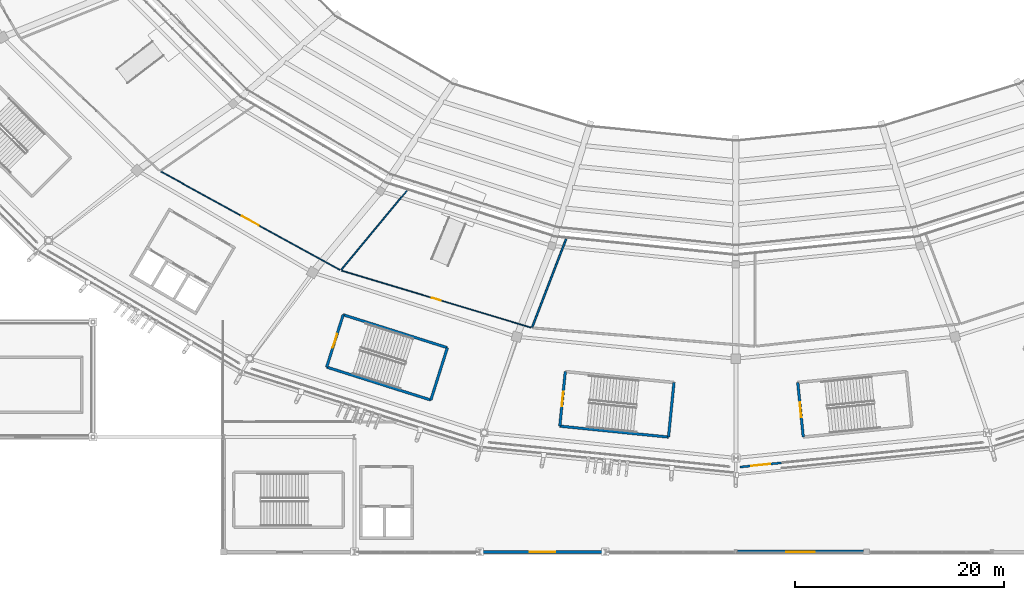
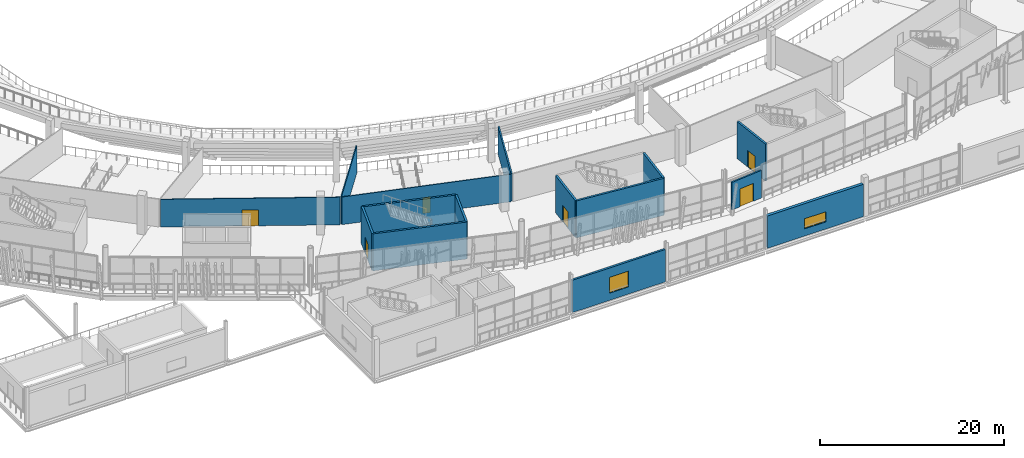
# One storey, part 122 of 178: 15 walls, 6 doors, 2 windows, 8 openings.
"""IFC4 building model written with IfcOpenShell, lengths in metres."""

from ifc_helpers import new_model, si_unit, direction, frame, frame_2d, origin, place, context, subcontext, project, spatial, rectangle, extrude, material, layer, layer_set, type_object, element, fill, save


model = new_model("IFC4")

# Units and contexts
model_context = context("Model", 3, precision=1e-05, world=origin(), true_north=direction((0.0, 1.0)))
body_context = subcontext(model_context, "Body", "Model", "MODEL_VIEW")
ifc_project = project(units=[si_unit("LENGTHUNIT", "METRE"), si_unit("AREAUNIT", "SQUARE_METRE"), si_unit("VOLUMEUNIT", "CUBIC_METRE"), si_unit("PLANEANGLEUNIT", "RADIAN"), si_unit("MASSUNIT", "GRAM", prefix="KILO")], contexts=[model_context])

# Site, building, storey
site_placement = place(None, origin())
site = spatial("IfcSite", under=ifc_project, at=site_placement, CompositionType="ELEMENT")
building_placement = place(site_placement, origin())
building = spatial("IfcBuilding", under=site, at=building_placement, Name="Zlatoyarsky Gate Stadium", CompositionType="ELEMENT")
storey_placement = place(building_placement, frame((0.0, 0.0, 5.39990234375)))
storey = spatial("IfcBuildingStorey", under=building, at=storey_placement, Name="L01", CompositionType="ELEMENT", Elevation=5.39990234375)

# Walls
ifc_material_1 = material(Name="Double-stud acoustic gypsum partition", Category="gypsum")
ifc_layer_1 = layer(ifc_material_1, 0.169921875)
ifc_layer_set_1 = layer_set([ifc_layer_1], Name="Double-stud acoustic gypsum partition")
wall_type_1 = type_object("IfcWallType", Name="ACOUSTIC BROADCAST STUDIO WALL 170", PredefinedType="PARTITIONING", material=ifc_layer_set_1)
wall_1_placement = place(storey_placement, frame((94.77783203125, 29.982177734375, 0.0), z_axis=(0.0, 0.0, 1.0), x_axis=(-0.359430415578, -0.933171890038, 0.0)))
element("IfcWall", 1, at=wall_1_placement, inside=storey, type_object=wall_type_1, Name="L01 interior partition PRT-L01-IRD-17", PredefinedType="PARTITIONING", context=body_context, shape_type="SweptSolid", body=[
    extrude(rectangle(XDim=9.06103515625, YDim=0.169921875, at=frame_2d((4.530517578125, 0.0))), origin(), (0.0, 0.0, 1.0), 3.670166015625),
])
ifc_material_2 = material(Name="Anodised aluminium acoustic operable wall", Category="aluminium")
ifc_layer_2 = layer(ifc_material_2, 0.114990234375)
ifc_layer_set_2 = layer_set([ifc_layer_2], Name="Anodised aluminium acoustic operable wall")
wall_type_2 = type_object("IfcWallType", Name="ACOUSTIC OPERABLE SUITE WALL 115", PredefinedType="MOVABLE", material=ifc_layer_set_2)
wall_2_placement = place(storey_placement, frame((79.5517578125, 34.596435546875, 0.0), z_axis=(0.0, 0.0, 1.0), x_axis=(-0.638865731008, -0.769318255174, 0.0)))
element("IfcWall", 2, at=wall_2_placement, inside=storey, type_object=wall_type_2, Name="L01 interior partition PRT-L01-IRD-16", PredefinedType="MOVABLE", context=body_context, shape_type="SweptSolid", body=[
    extrude(rectangle(XDim=9.859130859375, YDim=0.114990234375, at=frame_2d((4.9296875, 0.0))), origin(), (0.0, 0.0, 1.0), 3.670166015625),
])

# Wall, opening, door
ifc_material_3 = material(Name="Gypsum-clad mineral wool fire partition", Category="gypsum")
ifc_layer_3 = layer(ifc_material_3, 0.199951171875)
ifc_layer_set_3 = layer_set([ifc_layer_3], Name="Gypsum-clad mineral wool fire partition")
wall_type_3 = type_object("IfcWallType", Name="COMPARTMENT FIRE PARTITION WALL 200", PredefinedType="PARTITIONING", material=ifc_layer_set_3)
wall_3_placement = place(storey_placement, frame((111.403076171875, 8.132080078125, 0.0), z_axis=(0.0, 0.0, 1.0), x_axis=(0.994956287752, 0.100309448517, 0.0)))
wall_3 = element("IfcWall", 3, at=wall_3_placement, inside=storey, type_object=wall_type_3, Name="L01 interior partition PRT-PORTAL-L01-18", PredefinedType="PARTITIONING", context=body_context, shape_type="SweptSolid", body=[
    extrude(rectangle(XDim=3.9599609375, YDim=0.199951171875, at=frame_2d((1.97998046875, 0.0))), origin(), (0.0, 0.0, 1.0), 3.670166015625),
])
opening_1_placement = place(wall_3_placement, frame((1.070068359375, 0.0, 0.0)))
opening_1 = element("IfcOpeningElement", 4, at=opening_1_placement, cuts=wall_3, Name="Opening D-L01-712", PredefinedType="OPENING", context=body_context, shape_type="SweptSolid", body=[
    extrude(rectangle(XDim=1.820068359375, YDim=2.3798828125, at=frame_2d((0.91015625, 1.18994140625))), frame((0.0, 0.10986328125, 0.0), z_axis=(0.0, -1.0, 0.0), x_axis=(1.0, 0.0, 0.0)), (0.0, 0.0, 1.0), 0.219970703125),
])
ifc_material_4 = material(Name="Powder-coated steel fire door", Category="steel")
door_type_1 = type_object("IfcDoorType", Name="ACOUSTIC INTERIOR DOOR 1820X2380", OperationType="NOTDEFINED", PredefinedType="DOOR", material=ifc_material_4)
door_1_placement = place(opening_1_placement, origin())
door_1 = element("IfcDoor", 5, at=door_1_placement, inside=storey, type_object=door_type_1, Name="L01 room door D-L01-712", OperationType="SINGLE_SWING_RIGHT", OverallHeight=2.3798828125, OverallWidth=1.820068359375, PredefinedType="DOOR", context=body_context, shape_type="SweptSolid", body=[
    extrude(rectangle(XDim=1.820068359375, YDim=2.3798828125, at=frame_2d((0.91015625, 1.18994140625))), frame((0.0, 0.02490234375, 0.0), z_axis=(0.0, -1.0, 0.0), x_axis=(1.0, 0.0, 0.0)), (0.0, 0.0, 1.0), 0.050048828125),
])
fill(opening_1, door_1)

ifc_material_5 = material(Name="Concrete C40/50", Category="concrete")
ifc_layer_4 = layer(ifc_material_5, 0.25)
ifc_layer_set_4 = layer_set([ifc_layer_4], Name="Concrete C40/50")
wall_type_4 = type_object("IfcWallType", Name="CONCRETE STAIR CORE SHEAR WALL 250", PredefinedType="SHEAR", material=ifc_layer_set_4)
wall_4_placement = place(storey_placement, frame((73.436767578125, 22.69873046875, 0.0), z_axis=(0.0, 0.0, 1.0), x_axis=(-0.30152749866, -0.953457480726, 0.0)))
wall_4 = element("IfcWall", 6, at=wall_4_placement, inside=storey, type_object=wall_type_4, Name="ST-09 L01 stair core entrance shear wall", PredefinedType="SHEAR", context=body_context, shape_type="SweptSolid", body=[
    extrude(rectangle(XDim=5.25, YDim=0.25, at=frame_2d((2.625, 0.0))), origin(), (0.0, 0.0, 1.0), 4.920166015625),
])
opening_2_placement = place(wall_4_placement, frame((1.925048828125, 0.0, 0.0)))
opening_2 = element("IfcOpeningElement", 7, at=opening_2_placement, cuts=wall_4, Name="Opening SD-ST-09-L01", PredefinedType="OPENING", context=body_context, shape_type="SweptSolid", body=[
    extrude(rectangle(XDim=1.39990234375, YDim=2.199951171875, at=frame_2d((0.699951171875, 1.10009765625))), frame((0.0, 0.135009765625, 0.0), z_axis=(0.0, -1.0, 0.0), x_axis=(1.0, 0.0, 0.0)), (0.0, 0.0, 1.0), 0.27001953125),
])
door_type_2 = type_object("IfcDoorType", Name="STAIR CORE FIRE EXIT DOOR 1400X2200", OperationType="NOTDEFINED", PredefinedType="DOOR", material=ifc_material_4)
door_2_placement = place(opening_2_placement, frame((1.39990234375, 0.0, 0.0), z_axis=(0.0, 0.0, 1.0), x_axis=(-1.0, 0.0, 0.0)))
door_2 = element("IfcDoor", 8, at=door_2_placement, inside=storey, type_object=door_type_2, Name="ST-09 L01 stair fire door", OperationType="SINGLE_SWING_RIGHT", OverallHeight=2.199951171875, OverallWidth=1.39990234375, PredefinedType="DOOR", context=body_context, shape_type="SweptSolid", body=[
    extrude(rectangle(XDim=1.39990234375, YDim=2.199951171875, at=frame_2d((0.699951171875, 1.10009765625))), frame((0.0, 0.02490234375, 0.0), z_axis=(0.0, -1.0, 0.0), x_axis=(1.0, 0.0, 0.0)), (0.0, 0.0, 1.0), 0.050048828125),
])
fill(opening_2, door_2)

# Walls
wall_5_placement = place(storey_placement, frame((71.853759765625, 17.693115234375, 0.0), z_axis=(0.0, 0.0, 1.0), x_axis=(0.953461834254, -0.301513732061, 0.0)))
element("IfcWall", 9, at=wall_5_placement, inside=storey, type_object=wall_type_4, Name="ST-09 L01 stair core left shear wall", PredefinedType="SHEAR", context=body_context, shape_type="SweptSolid", body=[
    extrude(rectangle(XDim=10.4501953125, YDim=0.25, at=frame_2d((5.22509765625, 0.0))), origin(), (0.0, 0.0, 1.0), 4.920166015625),
])
wall_6_placement = place(storey_placement, frame((81.817626953125, 14.542236328125, 0.0), z_axis=(0.0, 0.0, 1.0), x_axis=(0.301485222482, 0.953470849384, 0.0)))
element("IfcWall", 10, at=wall_6_placement, inside=storey, type_object=wall_type_4, Name="ST-09 L01 stair core far shear wall", PredefinedType="SHEAR", context=body_context, shape_type="SweptSolid", body=[
    extrude(rectangle(XDim=5.25, YDim=0.25, at=frame_2d((2.625, 0.0))), origin(), (0.0, 0.0, 1.0), 4.920166015625),
])
wall_7_placement = place(storey_placement, frame((83.400390625, 19.5478515625, 0.0), z_axis=(0.0, 0.0, 1.0), x_axis=(-0.953459710305, 0.301520448438, 0.0)))
element("IfcWall", 11, at=wall_7_placement, inside=storey, type_object=wall_type_4, Name="ST-09 L01 stair core right shear wall", PredefinedType="SHEAR", context=body_context, shape_type="SweptSolid", body=[
    extrude(rectangle(XDim=10.449951171875, YDim=0.25, at=frame_2d((5.22509765625, 0.0))), origin(), (0.0, 0.0, 1.0), 4.920166015625),
])

# Wall, opening, door
wall_8_placement = place(storey_placement, frame((116.92138671875, 16.220947265625, 0.0), z_axis=(0.0, 0.0, 1.0), x_axis=(0.100028593886, -0.994984562898, 0.0)))
wall_8 = element("IfcWall", 12, at=wall_8_placement, inside=storey, type_object=wall_type_4, Name="ST-10 L01 stair core entrance shear wall", PredefinedType="SHEAR", context=body_context, shape_type="SweptSolid", body=[
    extrude(rectangle(XDim=5.25, YDim=0.25, at=frame_2d((2.625, 0.0))), origin(), (0.0, 0.0, 1.0), 4.920166015625),
])
opening_3_placement = place(wall_8_placement, frame((1.925048828125, 0.0, 0.0)))
opening_3 = element("IfcOpeningElement", 13, at=opening_3_placement, cuts=wall_8, Name="Opening SD-ST-10-L01", PredefinedType="OPENING", context=body_context, shape_type="SweptSolid", body=[
    extrude(rectangle(XDim=1.39990234375, YDim=2.199951171875, at=frame_2d((0.699951171875, 1.10009765625))), frame((0.0, 0.135009765625, 0.0), z_axis=(0.0, -1.0, 0.0), x_axis=(1.0, 0.0, 0.0)), (0.0, 0.0, 1.0), 0.27001953125),
])
door_3_placement = place(opening_3_placement, frame((1.39990234375, 0.0, 0.0), z_axis=(0.0, 0.0, 1.0), x_axis=(-1.0, 0.0, 0.0)))
door_3 = element("IfcDoor", 14, at=door_3_placement, inside=storey, type_object=door_type_2, Name="ST-10 L01 stair fire door", OperationType="SINGLE_SWING_LEFT", OverallHeight=2.199951171875, OverallWidth=1.39990234375, PredefinedType="DOOR", context=body_context, shape_type="SweptSolid", body=[
    extrude(rectangle(XDim=1.39990234375, YDim=2.199951171875, at=frame_2d((0.699951171875, 1.10009765625))), frame((0.0, 0.02490234375, 0.0), z_axis=(0.0, -1.0, 0.0), x_axis=(1.0, 0.0, 0.0)), (0.0, 0.0, 1.0), 0.050048828125),
])
fill(opening_3, door_3)

wall_9_placement = place(storey_placement, frame((94.680908203125, 17.26611328125, 0.0), z_axis=(0.0, 0.0, 1.0), x_axis=(-0.10002396577, -0.994985028165, 0.0)))
wall_9 = element("IfcWall", 15, at=wall_9_placement, inside=storey, type_object=wall_type_4, Name="ST-19 L01 stair core entrance shear wall", PredefinedType="SHEAR", context=body_context, shape_type="SweptSolid", body=[
    extrude(rectangle(XDim=5.250244140625, YDim=0.25, at=frame_2d((2.625, 0.0))), origin(), (0.0, 0.0, 1.0), 4.920166015625),
])
opening_4_placement = place(wall_9_placement, frame((1.925048828125, 0.0, 0.0)))
opening_4 = element("IfcOpeningElement", 16, at=opening_4_placement, cuts=wall_9, Name="Opening SD-ST-19-L01", PredefinedType="OPENING", context=body_context, shape_type="SweptSolid", body=[
    extrude(rectangle(XDim=1.39990234375, YDim=2.199951171875, at=frame_2d((0.699951171875, 1.10009765625))), frame((0.0, 0.135009765625, 0.0), z_axis=(0.0, -1.0, 0.0), x_axis=(1.0, 0.0, 0.0)), (0.0, 0.0, 1.0), 0.27001953125),
])
door_4_placement = place(opening_4_placement, frame((1.39990234375, 0.0, 0.0), z_axis=(0.0, 0.0, 1.0), x_axis=(-1.0, 0.0, 0.0)))
door_4 = element("IfcDoor", 17, at=door_4_placement, inside=storey, type_object=door_type_2, Name="ST-19 L01 stair fire door", OperationType="SINGLE_SWING_LEFT", OverallHeight=2.199951171875, OverallWidth=1.39990234375, PredefinedType="DOOR", context=body_context, shape_type="SweptSolid", body=[
    extrude(rectangle(XDim=1.39990234375, YDim=2.199951171875, at=frame_2d((0.699951171875, 1.10009765625))), frame((0.0, 0.02490234375, 0.0), z_axis=(0.0, -1.0, 0.0), x_axis=(1.0, 0.0, 0.0)), (0.0, 0.0, 1.0), 0.050048828125),
])
fill(opening_4, door_4)

# Walls
wall_10_placement = place(storey_placement, frame((94.15576171875, 12.042236328125, 0.0), z_axis=(0.0, 0.0, 1.0), x_axis=(0.994988263568, -0.09999177647, 0.0)))
element("IfcWall", 18, at=wall_10_placement, inside=storey, type_object=wall_type_4, Name="ST-19 L01 stair core left shear wall", PredefinedType="SHEAR", context=body_context, shape_type="SweptSolid", body=[
    extrude(rectangle(XDim=10.4501953125, YDim=0.25, at=frame_2d((5.22509765625, 0.0))), origin(), (0.0, 0.0, 1.0), 4.920166015625),
])
wall_11_placement = place(storey_placement, frame((104.553466796875, 10.997314453125, 0.0), z_axis=(0.0, 0.0, 1.0), x_axis=(0.099982555566, 0.994989190184, 0.0)))
element("IfcWall", 19, at=wall_11_placement, inside=storey, type_object=wall_type_4, Name="ST-19 L01 stair core far shear wall", PredefinedType="SHEAR", context=body_context, shape_type="SweptSolid", body=[
    extrude(rectangle(XDim=5.25, YDim=0.25, at=frame_2d((2.625, 0.0))), origin(), (0.0, 0.0, 1.0), 4.920166015625),
])

# Wall, opening, door
ifc_material_6 = material(Name="Timber-veneered acoustic operable partition", Category="wood")
ifc_layer_5 = layer(ifc_material_6, 0.094970703125)
ifc_layer_set_5 = layer_set([ifc_layer_5], Name="Timber-veneered acoustic operable partition")
wall_type_5 = type_object("IfcWallType", Name="FOLDING BANQUET SALON WALL 95", PredefinedType="MOVABLE", material=ifc_layer_set_5)
wall_12_placement = place(storey_placement, frame((73.2802734375, 26.921875, 0.0), z_axis=(0.0, 0.0, 1.0), x_axis=(0.957658583418, -0.287906300046, 0.0)))
wall_12 = element("IfcWall", 20, at=wall_12_placement, inside=storey, type_object=wall_type_5, Name="L01 vomitory portal wall PRT-L01-ICC-16", PredefinedType="MOVABLE", context=body_context, shape_type="SweptSolid", body=[
    extrude(rectangle(XDim=18.930419921875, YDim=0.094970703125, at=frame_2d((9.46533203125, 0.0))), origin(), (0.0, 0.0, 1.0), 3.670166015625),
])
opening_5_placement = place(wall_12_placement, frame((9.01513671875, 0.0, 0.0)))
opening_5 = element("IfcOpeningElement", 21, at=opening_5_placement, cuts=wall_12, Name="Opening D-L01-259", PredefinedType="OPENING", context=body_context, shape_type="SweptSolid", body=[
    extrude(rectangle(XDim=0.89990234375, YDim=2.10009765625, at=frame_2d((0.449951171875, 1.050048828125))), frame((0.0, 0.057373046875, 0.0), z_axis=(0.0, -1.0, 0.0), x_axis=(1.0, 0.0, 0.0)), (0.0, 0.0, 1.0), 0.114990234375),
])
ifc_material_7 = material(Name="Solid-core oak veneer acoustic door", Category="wood")
door_type_3 = type_object("IfcDoorType", Name="ACOUSTIC INTERIOR DOOR 900X2100", OperationType="NOTDEFINED", PredefinedType="DOOR", material=ifc_material_7)
door_5_placement = place(opening_5_placement, origin())
door_5 = element("IfcDoor", 22, at=door_5_placement, inside=storey, type_object=door_type_3, Name="L01 vomitory portal door D-L01-259", OperationType="SINGLE_SWING_LEFT", OverallHeight=2.10009765625, OverallWidth=0.89990234375, PredefinedType="DOOR", context=body_context, shape_type="SweptSolid", body=[
    extrude(rectangle(XDim=0.89990234375, YDim=2.10009765625, at=frame_2d((0.449951171875, 1.050048828125))), frame((0.0, 0.02490234375, 0.0), z_axis=(0.0, -1.0, 0.0), x_axis=(1.0, 0.0, 0.0)), (0.0, 0.0, 1.0), 0.050048828125),
])
fill(opening_5, door_5)

ifc_material_8 = material(Name="Metal-stud gypsum partition", Category="gypsum")
ifc_layer_6 = layer(ifc_material_8, 0.10009765625)
ifc_layer_set_6 = layer_set([ifc_layer_6], Name="Metal-stud gypsum partition")
wall_type_6 = type_object("IfcWallType", Name="LIGHT STORAGE PARTITION 100", PredefinedType="PARTITIONING", material=ifc_layer_set_6)
wall_13_placement = place(storey_placement, frame((55.9873046875, 36.399658203125, 0.0), z_axis=(0.0, 0.0, 1.0), x_axis=(0.87649890357, -0.481403855448, 0.0)))
wall_13 = element("IfcWall", 23, at=wall_13_placement, inside=storey, type_object=wall_type_6, Name="L01 interior partition PRT-L01-ICC-15", PredefinedType="PARTITIONING", context=body_context, shape_type="SweptSolid", body=[
    extrude(rectangle(XDim=19.552001953125, YDim=0.10009765625, at=frame_2d((9.77587890625, 0.0))), origin(), (0.0, 0.0, 1.0), 3.670166015625),
])
opening_6_placement = place(wall_13_placement, frame((8.865966796875, 0.0, 0.0)))
opening_6 = element("IfcOpeningElement", 24, at=opening_6_placement, cuts=wall_13, Name="Opening D-L01-257", PredefinedType="OPENING", context=body_context, shape_type="SweptSolid", body=[
    extrude(rectangle(XDim=1.820068359375, YDim=2.10009765625, at=frame_2d((0.91015625, 1.050048828125))), frame((0.0, 0.06005859375, 0.0), z_axis=(0.0, -1.0, 0.0), x_axis=(1.0, 0.0, 0.0)), (0.0, 0.0, 1.0), 0.1201171875),
])
door_type_4 = type_object("IfcDoorType", Name="ACOUSTIC INTERIOR DOOR 1820X2100", OperationType="NOTDEFINED", PredefinedType="DOOR", material=ifc_material_7)
door_6_placement = place(opening_6_placement, origin())
door_6 = element("IfcDoor", 25, at=door_6_placement, inside=storey, type_object=door_type_4, Name="L01 room door D-L01-257", OperationType="SINGLE_SWING_RIGHT", OverallHeight=2.10009765625, OverallWidth=1.820068359375, PredefinedType="DOOR", context=body_context, shape_type="SweptSolid", body=[
    extrude(rectangle(XDim=1.820068359375, YDim=2.10009765625, at=frame_2d((0.91015625, 1.050048828125))), frame((0.0, 0.02490234375, 0.0), z_axis=(0.0, -1.0, 0.0), x_axis=(1.0, 0.0, 0.0)), (0.0, 0.0, 1.0), 0.050048828125),
])
fill(opening_6, door_6)

# Wall, opening, window
ifc_material_9 = material(Name="Limestone-faced insulated masonry wall", Category="masonry")
ifc_layer_7 = layer(ifc_material_9, 0.360107421875)
ifc_layer_set_7 = layer_set([ifc_layer_7], Name="Limestone-faced insulated masonry wall")
wall_type_7 = type_object("IfcWallType", Name="LIMESTONE CLAD CAVITY WALL 360", PredefinedType="STANDARD", material=ifc_layer_set_7)
wall_14_placement = place(storey_placement, frame((111.14697265625, 0.0, 0.0), z_axis=(0.0, 0.0, 1.0), x_axis=(1.0, 0.0, 0.0)))
wall_14 = element("IfcWall", 26, at=wall_14_placement, inside=storey, type_object=wall_type_7, Name="V3_SOUTH L01 S exterior wall", PredefinedType="STANDARD", context=body_context, shape_type="SweptSolid", body=[
    extrude(rectangle(XDim=12.055908203125, YDim=0.360107421875, at=frame_2d((6.02783203125, 0.0))), origin(), (0.0, 0.0, 1.0), 4.300048828125),
])
opening_7_placement = place(wall_14_placement, frame((4.677978515625, 0.0, 0.949951171875)))
opening_7 = element("IfcOpeningElement", 27, at=opening_7_placement, cuts=wall_14, Name="Opening WN-21", PredefinedType="OPENING", context=body_context, shape_type="SweptSolid", body=[
    extrude(rectangle(XDim=2.699951171875, YDim=1.35009765625, at=frame_2d((1.35009765625, 0.675048828125))), frame((0.0, 0.18994140625, 0.0), z_axis=(0.0, -1.0, 0.0), x_axis=(1.0, 0.0, 0.0)), (0.0, 0.0, 1.0), 0.380126953125),
])
ifc_material_10 = material(Name="Triple-glazed thermally broken aluminium window", Category="aluminium")
window_type_1 = type_object("IfcWindowType", Name="TRIPLE GLAZED ALUMINIUM WINDOW 2700X1350", PartitioningType="SINGLE_PANEL", PredefinedType="WINDOW", material=ifc_material_10)
window_1_placement = place(opening_7_placement, origin())
window_1 = element("IfcWindow", 28, at=window_1_placement, inside=storey, type_object=window_type_1, Name="Exterior window WIN-L01-021", OverallHeight=1.35009765625, OverallWidth=2.699951171875, PartitioningType="SINGLE_PANEL", PredefinedType="WINDOW", context=body_context, shape_type="SweptSolid", body=[
    extrude(rectangle(XDim=2.699951171875, YDim=1.35009765625, at=frame_2d((1.35009765625, 0.675048828125))), frame((0.0, 0.030029296875, 0.0), z_axis=(0.0, -1.0, 0.0), x_axis=(1.0, 0.0, 0.0)), (0.0, 0.0, 1.0), 0.06005859375),
])
fill(opening_7, window_1)

ifc_layer_8 = layer(ifc_material_9, 0.260009765625)
ifc_layer_set_8 = layer_set([ifc_layer_8], Name="Limestone-faced insulated masonry wall")
wall_type_8 = type_object("IfcWallType", Name="PORTICO COLONNADE PLINTH WALL 260", PredefinedType="STANDARD", material=ifc_layer_set_8)
wall_15_placement = place(storey_placement, frame((86.64697265625, 0.0, 0.0), z_axis=(0.0, 0.0, 1.0), x_axis=(1.0, 0.0, 0.0)))
wall_15 = element("IfcWall", 29, at=wall_15_placement, inside=storey, type_object=wall_type_8, Name="V3_SOUTH L01 S exterior wall", PredefinedType="STANDARD", context=body_context, shape_type="SweptSolid", body=[
    extrude(rectangle(XDim=11.7060546875, YDim=0.260009765625, at=frame_2d((5.85302734375, 0.0))), origin(), (0.0, 0.0, 1.0), 4.300048828125),
])
opening_8_placement = place(wall_15_placement, frame((4.653076171875, 0.0, 0.949951171875)))
opening_8 = element("IfcOpeningElement", 30, at=opening_8_placement, cuts=wall_15, Name="Opening WN-20", PredefinedType="OPENING", context=body_context, shape_type="SweptSolid", body=[
    extrude(rectangle(XDim=2.39990234375, YDim=2.10009765625, at=frame_2d((1.199951171875, 1.050048828125))), frame((0.0, 0.139892578125, 0.0), z_axis=(0.0, -1.0, 0.0), x_axis=(1.0, 0.0, 0.0)), (0.0, 0.0, 1.0), 0.280029296875),
])
window_type_2 = type_object("IfcWindowType", Name="TRIPLE GLAZED ALUMINIUM WINDOW 2400X2100", PartitioningType="SINGLE_PANEL", PredefinedType="WINDOW", material=ifc_material_10)
window_2_placement = place(opening_8_placement, origin())
window_2 = element("IfcWindow", 31, at=window_2_placement, inside=storey, type_object=window_type_2, Name="Exterior window WIN-L01-020", OverallHeight=2.10009765625, OverallWidth=2.39990234375, PartitioningType="SINGLE_PANEL", PredefinedType="WINDOW", context=body_context, shape_type="SweptSolid", body=[
    extrude(rectangle(XDim=2.39990234375, YDim=2.10009765625, at=frame_2d((1.199951171875, 1.050048828125))), frame((0.0, 0.030029296875, 0.0), z_axis=(0.0, -1.0, 0.0), x_axis=(1.0, 0.0, 0.0)), (0.0, 0.0, 1.0), 0.06005859375),
])
fill(opening_8, window_2)

save(model, "model.ifc")
